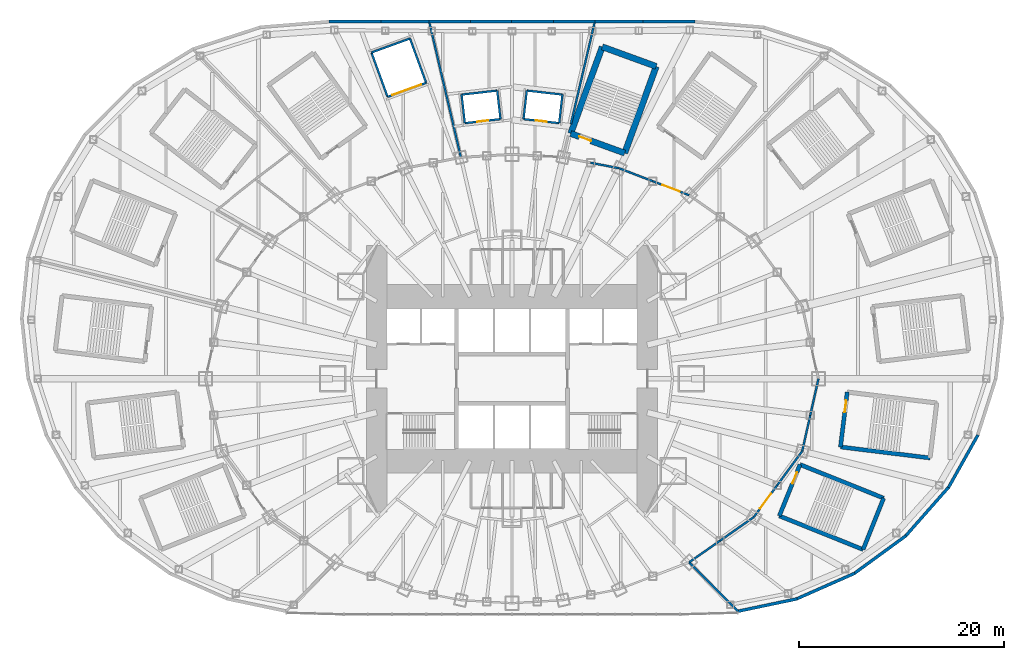
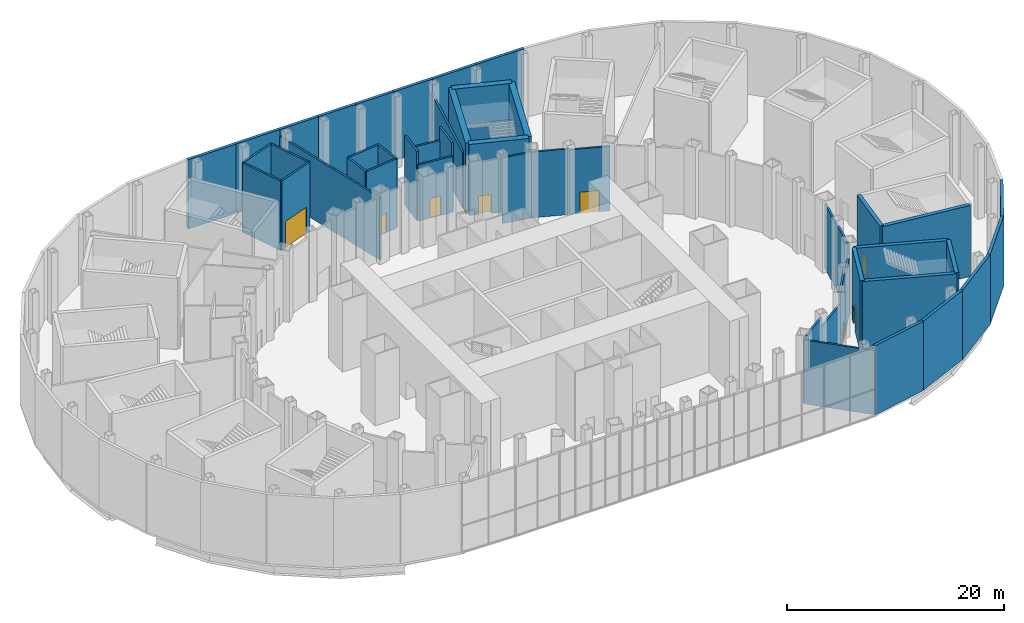
# One storey, part 16 of 74: 47 walls, 8 doors, 8 openings.
"""IFC4 building model written with IfcOpenShell, lengths in metres."""

import ifcopenshell
import ifcopenshell.guid

model = None  # the IFC model being written
_history = None  # IfcOwnerHistory: only IFC2X3 demands one
_inside = {}  # id of a spatial element -> (the spatial element, [elements in it])
_under = {}  # id of a project, library or spatial element -> (it, [spatial elements below it])
_declared = {}  # id of a project -> (the project, [libraries it declares])
_typed = {}  # id of a type object -> (the type object, [elements of that type])
_made_of = {}  # id of a material, layer set ... -> (it, [elements and type objects made of it])


def new_model(schema):
    """Start an empty IFC model of exactly this schema.

    Asked for "IFC4X3", IfcOpenShell would pick the latest addendum, in which some entities
    have other attributes; the version numbers below select the first issue.
    IFC2X3 requires an IfcOwnerHistory on every rooted entity: one is made here for all.
    """
    global model, _history
    if schema == "IFC4X3":
        model = ifcopenshell.file(schema_version=(4, 3, 0, 0))
    else:
        model = ifcopenshell.file(schema=schema)
    _inside.clear()
    _under.clear()
    _declared.clear()
    _typed.clear()
    _made_of.clear()
    _history = None
    if model.schema == "IFC2X3":
        org = make("IfcOrganization", Name="unknown")
        user = make(
            "IfcPersonAndOrganization",
            ThePerson=make("IfcPerson", FamilyName="unknown"),
            TheOrganization=org,
        )
        app = make(
            "IfcApplication",
            ApplicationDeveloper=org,
            Version="unknown",
            ApplicationFullName="unknown",
            ApplicationIdentifier="unknown",
        )
        _history = make(
            "IfcOwnerHistory",
            OwningUser=user,
            OwningApplication=app,
            ChangeAction="ADDED",
            CreationDate=0,
        )
    return model


def make(cls, **values):
    """One entity of the class cls with the attributes given. An attribute that is None is left unset."""
    return model.create_entity(
        cls, **{name: value for name, value in values.items() if value is not None}
    )


def rooted(cls, **values):
    """An entity with a GlobalId (a new one), such as an element, a storey or a relation."""
    return make(cls, GlobalId=ifcopenshell.guid.new(), OwnerHistory=_history, **values)


def si_unit(unit_type, name, prefix=None):
    """IfcSIUnit, for example si_unit("LENGTHUNIT", "METRE", prefix="MILLI")."""
    return make("IfcSIUnit", UnitType=unit_type, Prefix=prefix, Name=name)


def assignment(units):
    """IfcUnitAssignment: the units of a project."""
    return None if units is None else make("IfcUnitAssignment", Units=units)


def point(xyz):
    """IfcCartesianPoint."""
    return None if xyz is None else make("IfcCartesianPoint", Coordinates=xyz)


def direction(xyz):
    """IfcDirection."""
    return None if xyz is None else make("IfcDirection", DirectionRatios=xyz)


def frame(location, z_axis=None, x_axis=None):
    """IfcAxis2Placement3D, a coordinate frame: its origin and axes. An axis left out is left unset."""
    return make(
        "IfcAxis2Placement3D",
        Location=point(location),
        Axis=direction(z_axis),
        RefDirection=direction(x_axis),
    )


def frame_2d(location, x_axis=None):
    """IfcAxis2Placement2D, a coordinate frame in the plane: its origin and x axis."""
    return make(
        "IfcAxis2Placement2D", Location=point(location), RefDirection=direction(x_axis)
    )


def origin():
    """The frame at (0, 0, 0) with its axes left unset."""
    return frame((0.0, 0.0, 0.0))


def place(relative_to, where):
    """IfcLocalPlacement: puts the frame where relative to a parent placement (None: the world)."""
    return make(
        "IfcLocalPlacement", PlacementRelTo=relative_to, RelativePlacement=where
    )


def context(
    kind, dimensions, precision=None, world=None, true_north=None, identifier=None
):
    """IfcGeometricRepresentationContext, for example the 3D "Model" context."""
    return make(
        "IfcGeometricRepresentationContext",
        ContextIdentifier=identifier,
        ContextType=kind,
        CoordinateSpaceDimension=dimensions,
        Precision=precision,
        WorldCoordinateSystem=world,
        TrueNorth=true_north,
    )


def subcontext(parent, identifier, kind, view, scale=None):
    """IfcGeometricRepresentationSubContext, for example "Body" below "Model"."""
    return make(
        "IfcGeometricRepresentationSubContext",
        ContextIdentifier=identifier,
        ContextType=kind,
        ParentContext=parent,
        TargetScale=scale,
        TargetView=view,
    )


def project(units=None, contexts=None):
    """IfcProject with its units and contexts."""
    return rooted(
        "IfcProject",
        Name="project",
        RepresentationContexts=contexts,
        UnitsInContext=assignment(units),
    )


def spatial(cls, under=None, at=None, **own):
    """A site, building, storey or space (cls), placed at a placement, below another one or the project."""
    s = rooted(cls, ObjectPlacement=at, **own)
    if under is not None:
        _under.setdefault(under.id(), (under, []))[1].append(s)
    return s


def profile(cls, at=None, kind="AREA", **sizes):
    """A parametric profile (cls). Its sizes go by their IFC names, for example OverallWidth=200.0."""
    return make(cls, ProfileType=kind, Position=at, **sizes)


def rectangle(**sizes):
    """IfcRectangleProfileDef."""
    return profile("IfcRectangleProfileDef", **sizes)


def extrude(swept, where, along, depth):
    """IfcExtrudedAreaSolid: the profile swept, set in the frame where, extruded along a direction by depth."""
    return make(
        "IfcExtrudedAreaSolid",
        SweptArea=swept,
        Position=where,
        ExtrudedDirection=direction(along),
        Depth=depth,
    )


def shape(context_of_items, identifier, shape_type, items):
    """IfcShapeRepresentation: the items that make up one representation, for example the "Body"."""
    return make(
        "IfcShapeRepresentation",
        ContextOfItems=context_of_items,
        RepresentationIdentifier=identifier,
        RepresentationType=shape_type,
        Items=items,
    )


def material(Name=None, Category=None):
    """IfcMaterial."""
    return make("IfcMaterial", Name=Name, Category=Category)


def layer(
    of_material, thickness, ventilated=None, Name=None, Category=None, Priority=None
):
    """IfcMaterialLayer: one layer of a wall or slab, of a material (None: an air gap)."""
    return make(
        "IfcMaterialLayer",
        Material=of_material,
        LayerThickness=thickness,
        IsVentilated=ventilated,
        Name=Name,
        Category=Category,
        Priority=Priority,
    )


def layer_set(layers, Name=None):
    """IfcMaterialLayerSet."""
    return make("IfcMaterialLayerSet", MaterialLayers=layers, LayerSetName=Name)


def made_of(thing, what):
    """Note that an element or type object is made of a material, layer set ...; save() writes the relation."""
    if what is not None:
        _made_of.setdefault(what.id(), (what, []))[1].append(thing)
    return thing


def type_object(cls, material=None, **own):
    """A type object (cls), such as IfcWallType, which elements share."""
    return made_of(rooted(cls, **own), material)


def element(
    cls,
    number,
    at=None,
    inside=None,
    cuts=None,
    type_object=None,
    material=None,
    context=None,
    identifier="Body",
    shape_type=None,
    held_by="IfcProductDefinitionShape",
    body=None,
    shapes=None,
    **own,
):
    """One element of the class cls, such as IfcWall. Its Tag is "e" and its number.

    at: its placement. inside: the storey or other place that contains it. cuts: it is an
    opening in that element (IfcRelVoidsElement). A single representation is given by context,
    identifier, shape_type and body (its items); several are given by shapes. held_by: the class
    of the entity that holds the representations. save() writes the other relations.
    """
    e = rooted(cls, Tag="e%d" % number, ObjectPlacement=at, **own)
    if body is not None:
        shapes = [shape(context, identifier, shape_type, body)]
    if shapes is not None:
        e.Representation = make(held_by, Representations=shapes)
    if inside is not None:
        _inside.setdefault(inside.id(), (inside, []))[1].append(e)
    if cuts is not None:
        rooted(
            "IfcRelVoidsElement", RelatingBuildingElement=cuts, RelatedOpeningElement=e
        )
    if type_object is not None:
        _typed.setdefault(type_object.id(), (type_object, []))[1].append(e)
    return made_of(e, material)


def fill(opening, filler):
    """IfcRelFillsElement: the door or window that sits in an opening."""
    return rooted(
        "IfcRelFillsElement",
        RelatingOpeningElement=opening,
        RelatedBuildingElement=filler,
    )


def aggregate(whole, parts):
    """IfcRelAggregates: a whole, such as a stair, and the parts it consists of."""
    return rooted("IfcRelAggregates", RelatingObject=whole, RelatedObjects=parts)


def save(model, path):
    """Write the relations noted so far, then the file.

    IfcRelAggregates (storeys below a building ...), IfcRelContainedInSpatialStructure (elements
    in a storey), IfcRelDefinesByType, IfcRelAssociatesMaterial and IfcRelDeclares: one each for
    every whole, place, type object, material and project.
    """
    for whole, parts in _under.values():
        aggregate(whole, parts)
    for where, things in _inside.values():
        rooted(
            "IfcRelContainedInSpatialStructure",
            RelatedElements=things,
            RelatingStructure=where,
        )
    for kind, things in _typed.values():
        rooted("IfcRelDefinesByType", RelatedObjects=things, RelatingType=kind)
    for what, things in _made_of.values():
        rooted("IfcRelAssociatesMaterial", RelatedObjects=things, RelatingMaterial=what)
    for by, libraries in _declared.values():
        rooted("IfcRelDeclares", RelatingContext=by, RelatedDefinitions=libraries)
    model.write(path)


model = new_model("IFC4")

# Units and contexts
model_context = context("Model", 3, precision=1e-05, world=origin(), true_north=direction((0.0, 1.0)))
body_context = subcontext(model_context, "Body", "Model", "MODEL_VIEW")
ifc_project = project(units=[si_unit("LENGTHUNIT", "METRE"), si_unit("AREAUNIT", "SQUARE_METRE"), si_unit("VOLUMEUNIT", "CUBIC_METRE"), si_unit("PLANEANGLEUNIT", "RADIAN"), si_unit("MASSUNIT", "GRAM", prefix="KILO")], contexts=[model_context])

# Site, building, storey
site_placement = place(None, origin())
site = spatial("IfcSite", under=ifc_project, at=site_placement, CompositionType="ELEMENT")
building_placement = place(site_placement, origin())
building = spatial("IfcBuilding", under=site, at=building_placement, Name="Lantaw Convention Tower", CompositionType="ELEMENT")
storey_placement = place(building_placement, frame((0.0, 0.0, 6.5)))
storey = spatial("IfcBuildingStorey", under=building, at=storey_placement, Name="L01", CompositionType="ELEMENT", Elevation=6.5)

# Walls
ifc_material_1 = material(Name="Concrete blockwork, fire rated", Category="masonry")
ifc_layer_1 = layer(ifc_material_1, 0.199951171875)
ifc_layer_set_1 = layer_set([ifc_layer_1], Name="Lift shaft wall 200 EI 120")
wall_type_1 = type_object("IfcWallType", Name="Lift shaft wall 200 EI 120", PredefinedType="SOLIDWALL", material=ifc_layer_set_1)
wall_1_placement = place(storey_placement, frame((4.602783203125, 24.939208984375, 0.0), z_axis=(0.0, 0.0, 1.0), x_axis=(0.113177712989, 0.993574760792, 0.0)))
element("IfcWall", 1, at=wall_1_placement, inside=storey, type_object=wall_type_1, Name="Lift shaft wall", PredefinedType="SOLIDWALL", context=body_context, shape_type="SweptSolid", body=[
    extrude(rectangle(XDim=2.800048828125, YDim=0.199951171875, at=frame_2d((1.39990234375, 0.0))), origin(), (0.0, 0.0, 1.0), 7.800048828125),
])
wall_2_placement = place(storey_placement, frame((4.919677734375, 27.72119140625, 0.0), z_axis=(0.0, 0.0, 1.0), x_axis=(-0.993571061716, 0.113210182053, 0.0)))
element("IfcWall", 2, at=wall_2_placement, inside=storey, type_object=wall_type_1, Name="Lift shaft wall", PredefinedType="SOLIDWALL", context=body_context, shape_type="SweptSolid", body=[
    extrude(rectangle(XDim=3.5, YDim=0.199951171875, at=frame_2d((1.75, 0.0))), origin(), (0.0, 0.0, 1.0), 6.300048828125),
])
wall_3_placement = place(storey_placement, frame((1.442138671875, 28.117431640625, 0.0), z_axis=(0.0, 0.0, 1.0), x_axis=(-0.113177712989, -0.993574760792, 0.0)))
element("IfcWall", 3, at=wall_3_placement, inside=storey, type_object=wall_type_1, Name="Lift shaft wall", PredefinedType="SOLIDWALL", context=body_context, shape_type="SweptSolid", body=[
    extrude(rectangle(XDim=2.800048828125, YDim=0.199951171875, at=frame_2d((1.39990234375, 0.0))), origin(), (0.0, 0.0, 1.0), 7.800048828125),
])

# Wall, opening, door
wall_4_placement = place(storey_placement, frame((1.125244140625, 25.33544921875, 0.0), z_axis=(0.0, 0.0, 1.0), x_axis=(0.993571061716, -0.113210182053, 0.0)))
wall_4 = element("IfcWall", 4, at=wall_4_placement, inside=storey, type_object=wall_type_1, Name="Lift shaft wall", PredefinedType="SOLIDWALL", context=body_context, shape_type="SweptSolid", body=[
    extrude(rectangle(XDim=3.5, YDim=0.199951171875, at=frame_2d((1.75, 0.0))), origin(), (0.0, 0.0, 1.0), 6.300048828125),
])
opening_1_placement = place(wall_4_placement, frame((1.199951171875, 0.0, 0.0)))
opening_1 = element("IfcOpeningElement", 5, at=opening_1_placement, cuts=wall_4, Name="Opening LDPL1", PredefinedType="OPENING", context=body_context, shape_type="SweptSolid", body=[
    extrude(rectangle(XDim=1.10009765625, YDim=2.199951171875, at=frame_2d((0.550048828125, 1.10009765625))), frame((0.0, 0.10986328125, 0.0), z_axis=(0.0, -1.0, 0.0), x_axis=(1.0, 0.0, 0.0)), (0.0, 0.0, 1.0), 0.219970703125),
])
ifc_material_2 = material(Name="Stainless steel", Category="steel")
door_type_1 = type_object("IfcDoorType", Name="Lift landing door 1100", OperationType="DOUBLE_DOOR_SLIDING", PredefinedType="DOOR", material=ifc_material_2)
door_1_placement = place(opening_1_placement, origin())
door_1 = element("IfcDoor", 6, at=door_1_placement, inside=storey, type_object=door_type_1, Name="Lift landing door PL1", OperationType="DOUBLE_DOOR_SLIDING", OverallHeight=2.199951171875, OverallWidth=1.10009765625, PredefinedType="DOOR", context=body_context, shape_type="SweptSolid", body=[
    extrude(rectangle(XDim=1.10009765625, YDim=2.199951171875, at=frame_2d((0.550048828125, 1.10009765625))), frame((0.0, 0.02490234375, 0.0), z_axis=(0.0, -1.0, 0.0), x_axis=(1.0, 0.0, 0.0)), (0.0, 0.0, 1.0), 0.050048828125),
])
fill(opening_1, door_1)

# Walls
wall_5_placement = place(storey_placement, frame((-1.125244140625, 25.33544921875, 0.0), z_axis=(0.0, 0.0, 1.0), x_axis=(-0.113177712989, 0.993574760792, 0.0)))
element("IfcWall", 7, at=wall_5_placement, inside=storey, type_object=wall_type_1, Name="Lift shaft wall", PredefinedType="SOLIDWALL", context=body_context, shape_type="SweptSolid", body=[
    extrude(rectangle(XDim=2.800048828125, YDim=0.199951171875, at=frame_2d((1.39990234375, 0.0))), origin(), (0.0, 0.0, 1.0), 7.800048828125),
])
wall_6_placement = place(storey_placement, frame((-1.442138671875, 28.117431640625, 0.0), z_axis=(0.0, 0.0, 1.0), x_axis=(-0.993571061716, -0.113210182053, 0.0)))
element("IfcWall", 8, at=wall_6_placement, inside=storey, type_object=wall_type_1, Name="Lift shaft wall", PredefinedType="SOLIDWALL", context=body_context, shape_type="SweptSolid", body=[
    extrude(rectangle(XDim=3.5, YDim=0.199951171875, at=frame_2d((1.75, 0.0))), origin(), (0.0, 0.0, 1.0), 7.800048828125),
])
wall_7_placement = place(storey_placement, frame((-4.919677734375, 27.72119140625, 0.0), z_axis=(0.0, 0.0, 1.0), x_axis=(0.113177712989, -0.993574760792, 0.0)))
element("IfcWall", 9, at=wall_7_placement, inside=storey, type_object=wall_type_1, Name="Lift shaft wall", PredefinedType="SOLIDWALL", context=body_context, shape_type="SweptSolid", body=[
    extrude(rectangle(XDim=2.800048828125, YDim=0.199951171875, at=frame_2d((1.39990234375, 0.0))), origin(), (0.0, 0.0, 1.0), 7.800048828125),
])

# Wall, opening, door
wall_8_placement = place(storey_placement, frame((-4.602783203125, 24.939208984375, 0.0), z_axis=(0.0, 0.0, 1.0), x_axis=(0.993571061716, 0.113210182053, 0.0)))
wall_8 = element("IfcWall", 10, at=wall_8_placement, inside=storey, type_object=wall_type_1, Name="Lift shaft wall", PredefinedType="SOLIDWALL", context=body_context, shape_type="SweptSolid", body=[
    extrude(rectangle(XDim=3.5, YDim=0.199951171875, at=frame_2d((1.75, 0.0))), origin(), (0.0, 0.0, 1.0), 7.800048828125),
])
opening_2_placement = place(wall_8_placement, frame((1.199951171875, 0.0, 0.0)))
opening_2 = element("IfcOpeningElement", 11, at=opening_2_placement, cuts=wall_8, Name="Opening LDPL2", PredefinedType="OPENING", context=body_context, shape_type="SweptSolid", body=[
    extrude(rectangle(XDim=1.10009765625, YDim=2.199951171875, at=frame_2d((0.550048828125, 1.10009765625))), frame((0.0, 0.10986328125, 0.0), z_axis=(0.0, -1.0, 0.0), x_axis=(1.0, 0.0, 0.0)), (0.0, 0.0, 1.0), 0.219970703125),
])
door_2_placement = place(opening_2_placement, origin())
door_2 = element("IfcDoor", 12, at=door_2_placement, inside=storey, type_object=door_type_1, Name="Lift landing door PL2", OperationType="DOUBLE_DOOR_SLIDING", OverallHeight=2.199951171875, OverallWidth=1.10009765625, PredefinedType="DOOR", context=body_context, shape_type="SweptSolid", body=[
    extrude(rectangle(XDim=1.10009765625, YDim=2.199951171875, at=frame_2d((0.550048828125, 1.10009765625))), frame((0.0, 0.02490234375, 0.0), z_axis=(0.0, -1.0, 0.0), x_axis=(1.0, 0.0, 0.0)), (0.0, 0.0, 1.0), 0.050048828125),
])
fill(opening_2, door_2)

# Walls
wall_9_placement = place(storey_placement, frame((-8.381103515625, 28.874755859375, 0.0), z_axis=(0.0, 0.0, 1.0), x_axis=(-0.342045591466, 0.93968335803, 0.0)))
element("IfcWall", 13, at=wall_9_placement, inside=storey, type_object=wall_type_1, Name="Lift shaft wall", PredefinedType="SOLIDWALL", context=body_context, shape_type="SweptSolid", body=[
    extrude(rectangle(XDim=4.600341796875, YDim=0.199951171875, at=frame_2d((2.30029296875, 0.0))), origin(), (0.0, 0.0, 1.0), 7.800048828125),
])
wall_10_placement = place(storey_placement, frame((-9.95458984375, 33.197509765625, 0.0), z_axis=(0.0, 0.0, 1.0), x_axis=(-0.939686455819, -0.342037080957, 0.0)))
element("IfcWall", 14, at=wall_10_placement, inside=storey, type_object=wall_type_1, Name="Lift shaft wall", PredefinedType="SOLIDWALL", context=body_context, shape_type="SweptSolid", body=[
    extrude(rectangle(XDim=4.0, YDim=0.199951171875, at=frame_2d((2.0, 0.0))), origin(), (0.0, 0.0, 1.0), 7.800048828125),
])
wall_11_placement = place(storey_placement, frame((-13.71337890625, 31.829345703125, 0.0), z_axis=(0.0, 0.0, 1.0), x_axis=(0.342062650202, -0.939677148459, 0.0)))
element("IfcWall", 15, at=wall_11_placement, inside=storey, type_object=wall_type_1, Name="Lift shaft wall", PredefinedType="SOLIDWALL", context=body_context, shape_type="SweptSolid", body=[
    extrude(rectangle(XDim=4.60009765625, YDim=0.199951171875, at=frame_2d((2.300048828125, 0.0))), origin(), (0.0, 0.0, 1.0), 7.800048828125),
])

# Wall, opening, door
wall_12_placement = place(storey_placement, frame((-12.139892578125, 27.5068359375, 0.0), z_axis=(0.0, 0.0, 1.0), x_axis=(0.939706071622, 0.341983185197, 0.0)))
wall_12 = element("IfcWall", 16, at=wall_12_placement, inside=storey, type_object=wall_type_1, Name="Lift shaft wall", PredefinedType="SOLIDWALL", context=body_context, shape_type="SweptSolid", body=[
    extrude(rectangle(XDim=4.0, YDim=0.199951171875, at=frame_2d((2.0, 0.0))), origin(), (0.0, 0.0, 1.0), 7.800048828125),
])
opening_3_placement = place(wall_12_placement, frame((0.5, 0.0, 0.0)))
opening_3 = element("IfcOpeningElement", 17, at=opening_3_placement, cuts=wall_12, Name="Opening LDGL1", PredefinedType="OPENING", context=body_context, shape_type="SweptSolid", body=[
    extrude(rectangle(XDim=3.0, YDim=3.0, at=frame_2d((1.5, 1.5))), frame((0.0, 0.10986328125, 0.0), z_axis=(0.0, -1.0, 0.0), x_axis=(1.0, 0.0, 0.0)), (0.0, 0.0, 1.0), 0.219970703125),
])
door_type_2 = type_object("IfcDoorType", Name="Lift landing door 3000", OperationType="DOUBLE_DOOR_SLIDING", PredefinedType="DOOR", material=ifc_material_2)
door_3_placement = place(opening_3_placement, origin())
door_3 = element("IfcDoor", 18, at=door_3_placement, inside=storey, type_object=door_type_2, Name="Lift landing door GL1", OperationType="DOUBLE_DOOR_SLIDING", OverallHeight=3.0, OverallWidth=3.0, PredefinedType="DOOR", context=body_context, shape_type="SweptSolid", body=[
    extrude(rectangle(XDim=3.0, YDim=3.0, at=frame_2d((1.5, 1.5))), frame((0.0, 0.02490234375, 0.0), z_axis=(0.0, -1.0, 0.0), x_axis=(1.0, 0.0, 0.0)), (0.0, 0.0, 1.0), 0.050048828125),
])
fill(opening_3, door_3)

# Walls
ifc_material_3 = material(Name="Precast concrete panel, pale aluminium rainscreen", Category="concrete")
ifc_layer_2 = layer(ifc_material_3, 0.300048828125)
ifc_layer_set_2 = layer_set([ifc_layer_2], Name="Podium external wall 300")
wall_type_2 = type_object("IfcWallType", Name="Podium external wall 300", PredefinedType="SOLIDWALL", material=ifc_layer_set_2)
wall_13_placement = place(storey_placement, frame((17.873291015625, 34.85009765625, 0.0), z_axis=(0.0, 0.0, 1.0), x_axis=(-1.0, 0.0, 0.0)))
element("IfcWall", 19, at=wall_13_placement, inside=storey, type_object=wall_type_2, Name="Podium facade wall", PredefinedType="SOLIDWALL", context=body_context, shape_type="SweptSolid", body=[
    extrude(rectangle(XDim=5.17431640625, YDim=0.300048828125, at=frame_2d((2.587158203125, 0.0))), origin(), (0.0, 0.0, 1.0), 7.800048828125),
])
wall_14_placement = place(storey_placement, frame((12.779052734375, 34.85009765625, 0.0), z_axis=(0.0, 0.0, 1.0), x_axis=(-1.0, 0.0, 0.0)))
element("IfcWall", 20, at=wall_14_placement, inside=storey, type_object=wall_type_2, Name="Podium facade wall", PredefinedType="SOLIDWALL", context=body_context, shape_type="SweptSolid", body=[
    extrude(rectangle(XDim=4.73876953125, YDim=0.300048828125, at=frame_2d((2.369384765625, 0.0))), origin(), (0.0, 0.0, 1.0), 7.800048828125),
])
wall_15_placement = place(storey_placement, frame((8.120361328125, 34.85009765625, 0.0), z_axis=(0.0, 0.0, 1.0), x_axis=(-1.0, 0.0, 0.0)))
element("IfcWall", 21, at=wall_15_placement, inside=storey, type_object=wall_type_2, Name="Podium facade wall", PredefinedType="SOLIDWALL", context=body_context, shape_type="SweptSolid", body=[
    extrude(rectangle(XDim=4.172607421875, YDim=0.300048828125, at=frame_2d((2.08642578125, 0.0))), origin(), (0.0, 0.0, 1.0), 7.800048828125),
])
for number, where, z_axis, x_axis, name in (
    (22, (4.02783203125, 34.85009765625, 0.0), (0.0, 0.0, 1.0), (-1.0, 0.0, 0.0), "Podium facade wall"),
    (23, (0.0400390625, 34.85009765625, 0.0), (0.0, 0.0, 1.0), (-1.0, 0.0, 0.0), "Podium facade wall"),
):
    element("IfcWall", number, at=place(storey_placement, frame(where, z_axis=z_axis, x_axis=x_axis)), inside=storey, type_object=wall_type_2, Name=name, PredefinedType="SOLIDWALL", context=body_context, shape_type="SweptSolid", body=[
        extrude(rectangle(XDim=4.06787109375, YDim=0.300048828125, at=frame_2d((2.033935546875, 0.0))), origin(), (0.0, 0.0, 1.0), 7.800048828125),
    ])
wall_16_placement = place(storey_placement, frame((-3.94775390625, 34.85009765625, 0.0), z_axis=(0.0, 0.0, 1.0), x_axis=(-1.0, 0.0, 0.0)))
element("IfcWall", 24, at=wall_16_placement, inside=storey, type_object=wall_type_2, Name="Podium facade wall", PredefinedType="SOLIDWALL", context=body_context, shape_type="SweptSolid", body=[
    extrude(rectangle(XDim=4.172607421875, YDim=0.300048828125, at=frame_2d((2.08642578125, 0.0))), origin(), (0.0, 0.0, 1.0), 7.800048828125),
])
wall_17_placement = place(storey_placement, frame((-8.040283203125, 34.85009765625, 0.0), z_axis=(0.0, 0.0, 1.0), x_axis=(-1.0, 0.0, 0.0)))
element("IfcWall", 25, at=wall_17_placement, inside=storey, type_object=wall_type_2, Name="Podium facade wall", PredefinedType="SOLIDWALL", context=body_context, shape_type="SweptSolid", body=[
    extrude(rectangle(XDim=4.73876953125, YDim=0.300048828125, at=frame_2d((2.369384765625, 0.0))), origin(), (0.0, 0.0, 1.0), 7.800048828125),
])
wall_18_placement = place(storey_placement, frame((-12.698974609375, 34.85009765625, 0.0), z_axis=(0.0, 0.0, 1.0), x_axis=(-1.0, 0.0, 0.0)))
element("IfcWall", 26, at=wall_18_placement, inside=storey, type_object=wall_type_2, Name="Podium facade wall", PredefinedType="SOLIDWALL", context=body_context, shape_type="SweptSolid", body=[
    extrude(rectangle(XDim=5.17431640625, YDim=0.300048828125, at=frame_2d((2.587158203125, 0.0))), origin(), (0.0, 0.0, 1.0), 7.800048828125),
])
wall_19_placement = place(storey_placement, frame((21.985107421875, -22.699951171875, 0.0), z_axis=(0.0, 0.0, 1.0), x_axis=(0.978625319268, 0.205651366364, 0.0)))
element("IfcWall", 27, at=wall_19_placement, inside=storey, type_object=wall_type_2, Name="Podium facade wall", PredefinedType="SOLIDWALL", context=body_context, shape_type="SweptSolid", body=[
    extrude(rectangle(XDim=5.9619140625, YDim=0.300048828125, at=frame_2d((2.98095703125, 0.0))), origin(), (0.0, 0.0, 1.0), 7.800048828125),
])
wall_20_placement = place(storey_placement, frame((27.714111328125, -21.5078125, 0.0), z_axis=(0.0, 0.0, 1.0), x_axis=(0.914855209389, 0.403782052416, 0.0)))
element("IfcWall", 28, at=wall_20_placement, inside=storey, type_object=wall_type_2, Name="Podium facade wall", PredefinedType="SOLIDWALL", context=body_context, shape_type="SweptSolid", body=[
    extrude(rectangle(XDim=6.271240234375, YDim=0.300048828125, at=frame_2d((3.1357421875, 0.0))), origin(), (0.0, 0.0, 1.0), 7.800048828125),
])
wall_21_placement = place(storey_placement, frame((33.354736328125, -19.03125, 0.0), z_axis=(0.0, 0.0, 1.0), x_axis=(0.807898511933, 0.589321639189, 0.0)))
element("IfcWall", 29, at=wall_21_placement, inside=storey, type_object=wall_type_2, Name="Podium facade wall", PredefinedType="SOLIDWALL", context=body_context, shape_type="SweptSolid", body=[
    extrude(rectangle(XDim=6.30859375, YDim=0.300048828125, at=frame_2d((3.154296875, 0.0))), origin(), (0.0, 0.0, 1.0), 7.800048828125),
])
wall_22_placement = place(storey_placement, frame((38.368408203125, -15.38916015625, 0.0), z_axis=(0.0, 0.0, 1.0), x_axis=(0.661196672464, 0.75021261008, 0.0)))
element("IfcWall", 30, at=wall_22_placement, inside=storey, type_object=wall_type_2, Name="Podium facade wall", PredefinedType="SOLIDWALL", context=body_context, shape_type="SweptSolid", body=[
    extrude(rectangle(XDim=6.48095703125, YDim=0.300048828125, at=frame_2d((3.240478515625, 0.0))), origin(), (0.0, 0.0, 1.0), 7.800048828125),
])
wall_23_placement = place(storey_placement, frame((42.58935546875, -10.61767578125, 0.0), z_axis=(0.0, 0.0, 1.0), x_axis=(0.489563544979, 0.871967622924, 0.0)))
element("IfcWall", 31, at=wall_23_placement, inside=storey, type_object=wall_type_2, Name="Podium facade wall", PredefinedType="SOLIDWALL", context=body_context, shape_type="SweptSolid", body=[
    extrude(rectangle(XDim=5.882568359375, YDim=0.300048828125, at=frame_2d((2.94140625, 0.0))), origin(), (0.0, 0.0, 1.0), 7.800048828125),
])

# Wall, opening, door
ifc_material_4 = material(Name="Concrete blockwork", Category="masonry")
ifc_layer_3 = layer(ifc_material_4, 0.199951171875)
ifc_layer_set_3 = layer_set([ifc_layer_3], Name="Podium partition 200")
wall_type_3 = type_object("IfcWallType", Name="Podium partition 200", PredefinedType="SOLIDWALL", material=ifc_layer_set_3)
wall_24_placement = place(storey_placement, frame((17.290771484375, 17.9052734375, 0.0), z_axis=(0.0, 0.0, 1.0), x_axis=(-0.933224646415, 0.359293416754, 0.0)))
wall_24 = element("IfcWall", 32, at=wall_24_placement, inside=storey, type_object=wall_type_3, Name="Podium partition 200", PredefinedType="SOLIDWALL", context=body_context, shape_type="SweptSolid", body=[
    extrude(rectangle(XDim=3.799072265625, YDim=0.199951171875, at=frame_2d((1.8994140625, 0.0))), origin(), (0.0, 0.0, 1.0), 7.274169921875),
])
opening_4_placement = place(wall_24_placement, frame((0.99951171875, 0.0, 0.0)))
opening_4 = element("IfcOpeningElement", 33, at=opening_4_placement, cuts=wall_24, Name="Opening L01.13", PredefinedType="OPENING", context=body_context, shape_type="SweptSolid", body=[
    extrude(rectangle(XDim=1.800048828125, YDim=2.39990234375, at=frame_2d((0.89990234375, 1.199951171875))), frame((0.0, 0.10986328125, 0.0), z_axis=(0.0, -1.0, 0.0), x_axis=(1.0, 0.0, 0.0)), (0.0, 0.0, 1.0), 0.219970703125),
])
ifc_material_5 = material(Name="Timber", Category="wood")
door_type_3 = type_object("IfcDoorType", Name="Hall double door 1800", OperationType="DOUBLE_DOOR_DOUBLE_SWING", PredefinedType="DOOR", material=ifc_material_5)
door_4_placement = place(opening_4_placement, origin())
door_4 = element("IfcDoor", 34, at=door_4_placement, inside=storey, type_object=door_type_3, Name="Exhibition store door", OperationType="DOUBLE_DOOR_DOUBLE_SWING", OverallHeight=2.39990234375, OverallWidth=1.800048828125, PredefinedType="DOOR", context=body_context, shape_type="SweptSolid", body=[
    extrude(rectangle(XDim=1.800048828125, YDim=2.39990234375, at=frame_2d((0.89990234375, 1.199951171875))), frame((0.0, 0.02490234375, 0.0), z_axis=(0.0, -1.0, 0.0), x_axis=(1.0, 0.0, 0.0)), (0.0, 0.0, 1.0), 0.050048828125),
])
fill(opening_4, door_4)

# Walls
wall_25_placement = place(storey_placement, frame((13.745361328125, 19.270263671875, 0.0), z_axis=(0.0, 0.0, 1.0), x_axis=(-0.933241815012, 0.359248820058, 0.0)))
element("IfcWall", 35, at=wall_25_placement, inside=storey, type_object=wall_type_3, Name="Podium partition 200", PredefinedType="SOLIDWALL", context=body_context, shape_type="SweptSolid", body=[
    extrude(rectangle(XDim=3.517578125, YDim=0.199951171875, at=frame_2d((1.7587890625, 0.0))), origin(), (0.0, 0.0, 1.0), 7.396240234375),
])
wall_26_placement = place(storey_placement, frame((10.462646484375, 20.533935546875, 0.0), z_axis=(0.0, 0.0, 1.0), x_axis=(-0.98163593748, 0.190763954266, 0.0)))
element("IfcWall", 36, at=wall_26_placement, inside=storey, type_object=wall_type_3, Name="Podium partition 200", PredefinedType="SOLIDWALL", context=body_context, shape_type="SweptSolid", body=[
    extrude(rectangle(XDim=2.84375, YDim=0.199951171875, at=frame_2d((1.421875, 0.0))), origin(), (0.0, 0.0, 1.0), 7.396240234375),
])
wall_27_placement = place(storey_placement, frame((17.290771484375, -17.9052734375, 0.0), z_axis=(0.0, 0.0, 1.0), x_axis=(0.819431174801, 0.573177590075, 0.0)))
element("IfcWall", 37, at=wall_27_placement, inside=storey, type_object=wall_type_3, Name="Podium partition 200", PredefinedType="SOLIDWALL", context=body_context, shape_type="SweptSolid", body=[
    extrude(rectangle(XDim=3.68310546875, YDim=0.199951171875, at=frame_2d((1.841552734375, 0.0))), origin(), (0.0, 0.0, 1.0), 7.396240234375),
])
wall_28_placement = place(storey_placement, frame((20.308837890625, -15.794189453125, 0.0), z_axis=(0.0, 0.0, 1.0), x_axis=(0.81942291701, 0.57318939547, 0.0)))
element("IfcWall", 38, at=wall_28_placement, inside=storey, type_object=wall_type_3, Name="Podium partition 200", PredefinedType="SOLIDWALL", context=body_context, shape_type="SweptSolid", body=[
    extrude(rectangle(XDim=4.0224609375, YDim=0.199951171875, at=frame_2d((2.01123046875, 0.0))), origin(), (0.0, 0.0, 1.0), 6.300048828125),
])

# Wall, opening, door
wall_29_placement = place(storey_placement, frame((23.60498046875, -13.488525390625, 0.0), z_axis=(0.0, 0.0, 1.0), x_axis=(0.591286566758, 0.806461527893, 0.0)))
wall_29 = element("IfcWall", 39, at=wall_29_placement, inside=storey, type_object=wall_type_3, Name="Podium partition 200", PredefinedType="SOLIDWALL", context=body_context, shape_type="SweptSolid", body=[
    extrude(rectangle(XDim=3.843994140625, YDim=0.199951171875, at=frame_2d((1.921875, 0.0))), origin(), (0.0, 0.0, 1.0), 7.396240234375),
])
opening_5_placement = place(wall_29_placement, frame((1.022216796875, 0.0, 0.0)))
opening_5 = element("IfcOpeningElement", 40, at=opening_5_placement, cuts=wall_29, Name="Opening L01.12", PredefinedType="OPENING", context=body_context, shape_type="SweptSolid", body=[
    extrude(rectangle(XDim=1.800048828125, YDim=2.39990234375, at=frame_2d((0.89990234375, 1.199951171875))), frame((0.0, 0.10986328125, 0.0), z_axis=(0.0, -1.0, 0.0), x_axis=(1.0, 0.0, 0.0)), (0.0, 0.0, 1.0), 0.219970703125),
])
door_5_placement = place(opening_5_placement, origin())
door_5 = element("IfcDoor", 41, at=door_5_placement, inside=storey, type_object=door_type_3, Name="Exhibition hall A door", OperationType="DOUBLE_DOOR_DOUBLE_SWING", OverallHeight=2.39990234375, OverallWidth=1.800048828125, PredefinedType="DOOR", context=body_context, shape_type="SweptSolid", body=[
    extrude(rectangle(XDim=1.800048828125, YDim=2.39990234375, at=frame_2d((0.89990234375, 1.199951171875))), frame((0.0, 0.02490234375, 0.0), z_axis=(0.0, -1.0, 0.0), x_axis=(1.0, 0.0, 0.0)), (0.0, 0.0, 1.0), 0.050048828125),
])
fill(opening_5, door_5)

# Walls
wall_30_placement = place(storey_placement, frame((25.8779296875, -10.388427734375, 0.0), z_axis=(0.0, 0.0, 1.0), x_axis=(0.591255937291, 0.806483984105, 0.0)))
element("IfcWall", 42, at=wall_30_placement, inside=storey, type_object=wall_type_3, Name="Podium partition 200", PredefinedType="SOLIDWALL", context=body_context, shape_type="SweptSolid", body=[
    extrude(rectangle(XDim=4.126708984375, YDim=0.199951171875, at=frame_2d((2.0634765625, 0.0))), origin(), (0.0, 0.0, 1.0), 6.300048828125),
])
wall_31_placement = place(storey_placement, frame((28.31787109375, -7.060302734375, 0.0), z_axis=(0.0, 0.0, 1.0), x_axis=(0.218673326171, 0.97579812278, 0.0)))
element("IfcWall", 43, at=wall_31_placement, inside=storey, type_object=wall_type_3, Name="Podium partition 200", PredefinedType="SOLIDWALL", context=body_context, shape_type="SweptSolid", body=[
    extrude(rectangle(XDim=3.57373046875, YDim=0.199951171875, at=frame_2d((1.786865234375, 0.0))), origin(), (0.0, 0.0, 1.0), 7.396240234375),
])
wall_32_placement = place(storey_placement, frame((29.099365234375, -3.572998046875, 0.0), z_axis=(0.0, 0.0, 1.0), x_axis=(0.218631550323, 0.975807483679, 0.0)))
element("IfcWall", 44, at=wall_32_placement, inside=storey, type_object=wall_type_3, Name="Podium partition 200", PredefinedType="SOLIDWALL", context=body_context, shape_type="SweptSolid", body=[
    extrude(rectangle(XDim=3.66162109375, YDim=0.199951171875, at=frame_2d((1.830810546875, 0.0))), origin(), (0.0, 0.0, 1.0), 7.271728515625),
])
wall_33_placement = place(storey_placement, frame((5.745361328125, 24.848876953125, 0.0), z_axis=(0.0, 0.0, 1.0), x_axis=(0.227353607936, 0.973812269875, 0.0)))
element("IfcWall", 45, at=wall_33_placement, inside=storey, type_object=wall_type_3, Name="Podium partition 200", PredefinedType="SOLIDWALL", context=body_context, shape_type="SweptSolid", body=[
    extrude(rectangle(XDim=10.270263671875, YDim=0.199951171875, at=frame_2d((5.13525390625, 0.0))), origin(), (0.0, 0.0, 1.0), 6.300048828125),
])
wall_34_placement = place(storey_placement, frame((-4.986328125, 21.59814453125, 0.0), z_axis=(0.0, 0.0, 1.0), x_axis=(-0.227360055616, 0.973810764528, 0.0)))
element("IfcWall", 46, at=wall_34_placement, inside=storey, type_object=wall_type_3, Name="Podium partition 200", PredefinedType="SOLIDWALL", context=body_context, shape_type="SweptSolid", body=[
    extrude(rectangle(XDim=13.6083984375, YDim=0.199951171875, at=frame_2d((6.80419921875, 0.0))), origin(), (0.0, 0.0, 1.0), 7.02783203125),
])
wall_35_placement = place(storey_placement, frame((17.290771484375, -17.9052734375, 0.0), z_axis=(0.0, 0.0, 1.0), x_axis=(0.704348079756, -0.709854761585, 0.0)))
element("IfcWall", 47, at=wall_35_placement, inside=storey, type_object=wall_type_3, Name="Podium partition 200", PredefinedType="SOLIDWALL", context=body_context, shape_type="SweptSolid", body=[
    extrude(rectangle(XDim=6.739013671875, YDim=0.199951171875, at=frame_2d((3.36962890625, 0.0))), origin(), (0.0, 0.0, 1.0), 7.197998046875),
])
ifc_material_6 = material(Name="Concrete C40/50, stair core", Category="concrete")
ifc_layer_4 = layer(ifc_material_6, 0.39990234375)
ifc_layer_set_4 = layer_set([ifc_layer_4], Name="Stair enclosure wall 400 EI 120")
wall_type_4 = type_object("IfcWallType", Name="Stair enclosure wall 400 EI 120", PredefinedType="SHEAR", material=ifc_layer_set_4)
wall_36_placement = place(storey_placement, frame((26.0869140625, -13.3818359375, 0.0), z_axis=(0.0, 0.0, 1.0), x_axis=(0.92801678004, -0.372538395288, 0.0)))
element("IfcWall", 48, at=wall_36_placement, inside=storey, type_object=wall_type_4, Name="Stair enclosure wall", PredefinedType="SHEAR", context=body_context, shape_type="SweptSolid", body=[
    extrude(rectangle(XDim=8.800048828125, YDim=0.39990234375, at=frame_2d((4.39990234375, 0.0))), origin(), (0.0, 0.0, 1.0), 8.0),
])
wall_37_placement = place(storey_placement, frame((34.25341796875, -16.66015625, 0.0), z_axis=(0.0, 0.0, 1.0), x_axis=(0.372544066459, 0.928014503414, 0.0)))
element("IfcWall", 49, at=wall_37_placement, inside=storey, type_object=wall_type_4, Name="Stair enclosure wall", PredefinedType="SHEAR", context=body_context, shape_type="SweptSolid", body=[
    extrude(rectangle(XDim=5.39990234375, YDim=0.39990234375, at=frame_2d((2.699951171875, 0.0))), origin(), (0.0, 0.0, 1.0), 8.0),
])
wall_38_placement = place(storey_placement, frame((36.26513671875, -11.64892578125, 0.0), z_axis=(0.0, 0.0, 1.0), x_axis=(-0.928007188331, 0.372562287955, 0.0)))
element("IfcWall", 50, at=wall_38_placement, inside=storey, type_object=wall_type_4, Name="Stair enclosure wall", PredefinedType="SHEAR", context=body_context, shape_type="SweptSolid", body=[
    extrude(rectangle(XDim=8.800048828125, YDim=0.39990234375, at=frame_2d((4.39990234375, 0.0))), origin(), (0.0, 0.0, 1.0), 8.0),
])

# Wall, opening, door
wall_39_placement = place(storey_placement, frame((28.0986328125, -8.370361328125, 0.0), z_axis=(0.0, 0.0, 1.0), x_axis=(-0.372528436202, -0.928020777904, 0.0)))
wall_39 = element("IfcWall", 51, at=wall_39_placement, inside=storey, type_object=wall_type_4, Name="Stair enclosure wall", PredefinedType="SHEAR", context=body_context, shape_type="SweptSolid", body=[
    extrude(rectangle(XDim=5.400146484375, YDim=0.39990234375, at=frame_2d((2.7001953125, 0.0))), origin(), (0.0, 0.0, 1.0), 8.0),
])
opening_6_placement = place(wall_39_placement, frame((0.800048828125, 0.0, 0.0)))
opening_6 = element("IfcOpeningElement", 52, at=opening_6_placement, cuts=wall_39, Name="Opening L01.P12", PredefinedType="OPENING", context=body_context, shape_type="SweptSolid", body=[
    extrude(rectangle(XDim=1.199951171875, YDim=2.10009765625, at=frame_2d((0.60009765625, 1.050048828125))), frame((0.0, 0.2099609375, 0.0), z_axis=(0.0, -1.0, 0.0), x_axis=(1.0, 0.0, 0.0)), (0.0, 0.0, 1.0), 0.419921875),
])
ifc_material_7 = material(Name="Steel, fire rated", Category="steel")
door_type_4 = type_object("IfcDoorType", Name="Stair door FD90", OperationType="SINGLE_SWING_RIGHT", PredefinedType="DOOR", material=ifc_material_7)
door_6_placement = place(opening_6_placement, origin())
door_6 = element("IfcDoor", 53, at=door_6_placement, inside=storey, type_object=door_type_4, Name="Exit stair door", OperationType="SINGLE_SWING_RIGHT", OverallHeight=2.10009765625, OverallWidth=1.199951171875, PredefinedType="DOOR", context=body_context, shape_type="SweptSolid", body=[
    extrude(rectangle(XDim=1.199951171875, YDim=2.10009765625, at=frame_2d((0.60009765625, 1.050048828125))), frame((0.0, 0.02490234375, 0.0), z_axis=(0.0, -1.0, 0.0), x_axis=(1.0, 0.0, 0.0)), (0.0, 0.0, 1.0), 0.050048828125),
])
fill(opening_6, door_6)

# Wall
wall_40_placement = place(storey_placement, frame((32.050537109375, -6.655517578125, 0.0), z_axis=(0.0, 0.0, 1.0), x_axis=(0.992545280606, -0.121876437212, 0.0)))
element("IfcWall", 54, at=wall_40_placement, inside=storey, type_object=wall_type_4, Name="Stair enclosure wall", PredefinedType="SHEAR", context=body_context, shape_type="SweptSolid", body=[
    extrude(rectangle(XDim=8.800048828125, YDim=0.39990234375, at=frame_2d((4.39990234375, 0.0))), origin(), (0.0, 0.0, 1.0), 8.0),
])

# Wall, opening, door
wall_41_placement = place(storey_placement, frame((32.70849609375, -1.2958984375, 0.0), z_axis=(0.0, 0.0, 1.0), x_axis=(-0.12184754212, -0.99254882826, 0.0)))
wall_41 = element("IfcWall", 55, at=wall_41_placement, inside=storey, type_object=wall_type_4, Name="Stair enclosure wall", PredefinedType="SHEAR", context=body_context, shape_type="SweptSolid", body=[
    extrude(rectangle(XDim=5.39990234375, YDim=0.39990234375, at=frame_2d((2.699951171875, 0.0))), origin(), (0.0, 0.0, 1.0), 8.0),
])
opening_7_placement = place(wall_41_placement, frame((0.800048828125, 0.0, 0.0)))
opening_7 = element("IfcOpeningElement", 56, at=opening_7_placement, cuts=wall_41, Name="Opening L01.P13", PredefinedType="OPENING", context=body_context, shape_type="SweptSolid", body=[
    extrude(rectangle(XDim=1.199951171875, YDim=2.10009765625, at=frame_2d((0.60009765625, 1.050048828125))), frame((0.0, 0.2099609375, 0.0), z_axis=(0.0, -1.0, 0.0), x_axis=(1.0, 0.0, 0.0)), (0.0, 0.0, 1.0), 0.419921875),
])
door_7_placement = place(opening_7_placement, origin())
door_7 = element("IfcDoor", 57, at=door_7_placement, inside=storey, type_object=door_type_4, Name="Exit stair door", OperationType="SINGLE_SWING_RIGHT", OverallHeight=2.10009765625, OverallWidth=1.199951171875, PredefinedType="DOOR", context=body_context, shape_type="SweptSolid", body=[
    extrude(rectangle(XDim=1.199951171875, YDim=2.10009765625, at=frame_2d((0.60009765625, 1.050048828125))), frame((0.0, 0.02490234375, 0.0), z_axis=(0.0, -1.0, 0.0), x_axis=(1.0, 0.0, 0.0)), (0.0, 0.0, 1.0), 0.050048828125),
])
fill(opening_7, door_7)

# Walls
ifc_layer_5 = layer(ifc_material_6, 0.60009765625)
ifc_layer_set_5 = layer_set([ifc_layer_5], Name="Stair enclosure wall 600 EI 120")
wall_type_5 = type_object("IfcWallType", Name="Stair enclosure wall 600 EI 120", PredefinedType="SHEAR", material=ifc_layer_set_5)
wall_42_placement = place(storey_placement, frame((10.9921875, 22.01416015625, 0.0), z_axis=(0.0, 0.0, 1.0), x_axis=(0.342013127703, 0.939695174234, 0.0)))
element("IfcWall", 58, at=wall_42_placement, inside=storey, type_object=wall_type_5, Name="Stair enclosure wall", PredefinedType="SHEAR", context=body_context, shape_type="SweptSolid", body=[
    extrude(rectangle(XDim=9.0, YDim=0.60009765625, at=frame_2d((4.5, 0.0))), origin(), (0.0, 0.0, 1.0), 8.0),
])
wall_43_placement = place(storey_placement, frame((14.0703125, 30.471435546875, 0.0), z_axis=(0.0, 0.0, 1.0), x_axis=(-0.939692822968, 0.342019587834, 0.0)))
element("IfcWall", 59, at=wall_43_placement, inside=storey, type_object=wall_type_5, Name="Stair enclosure wall", PredefinedType="SHEAR", context=body_context, shape_type="SweptSolid", body=[
    extrude(rectangle(XDim=5.599853515625, YDim=0.60009765625, at=frame_2d((2.7998046875, 0.0))), origin(), (0.0, 0.0, 1.0), 8.0),
])
wall_44_placement = place(storey_placement, frame((8.80810546875, 32.38671875, 0.0), z_axis=(0.0, 0.0, 1.0), x_axis=(-0.3420218461, -0.939692001025, 0.0)))
element("IfcWall", 60, at=wall_44_placement, inside=storey, type_object=wall_type_5, Name="Stair enclosure wall", PredefinedType="SHEAR", context=body_context, shape_type="SweptSolid", body=[
    extrude(rectangle(XDim=8.999755859375, YDim=0.60009765625, at=frame_2d((4.5, 0.0))), origin(), (0.0, 0.0, 1.0), 8.0),
])

# Wall, opening, door
wall_45_placement = place(storey_placement, frame((5.72998046875, 23.9296875, 0.0), z_axis=(0.0, 0.0, 1.0), x_axis=(0.939678810556, -0.342058084236, 0.0)))
wall_45 = element("IfcWall", 61, at=wall_45_placement, inside=storey, type_object=wall_type_5, Name="Stair enclosure wall", PredefinedType="SHEAR", context=body_context, shape_type="SweptSolid", body=[
    extrude(rectangle(XDim=5.60009765625, YDim=0.60009765625, at=frame_2d((2.800048828125, 0.0))), origin(), (0.0, 0.0, 1.0), 8.0),
])
opening_8_placement = place(wall_45_placement, frame((0.89990234375, 0.0, 0.0)))
opening_8 = element("IfcOpeningElement", 62, at=opening_8_placement, cuts=wall_45, Name="Opening L01.P5", PredefinedType="OPENING", context=body_context, shape_type="SweptSolid", body=[
    extrude(rectangle(XDim=1.199951171875, YDim=2.10009765625, at=frame_2d((0.60009765625, 1.050048828125))), frame((0.0, 0.31005859375, 0.0), z_axis=(0.0, -1.0, 0.0), x_axis=(1.0, 0.0, 0.0)), (0.0, 0.0, 1.0), 0.6201171875),
])
door_8_placement = place(opening_8_placement, origin())
door_8 = element("IfcDoor", 63, at=door_8_placement, inside=storey, type_object=door_type_4, Name="Exit stair door", OperationType="SINGLE_SWING_RIGHT", OverallHeight=2.10009765625, OverallWidth=1.199951171875, PredefinedType="DOOR", context=body_context, shape_type="SweptSolid", body=[
    extrude(rectangle(XDim=1.199951171875, YDim=2.10009765625, at=frame_2d((0.60009765625, 1.050048828125))), frame((0.0, 0.02490234375, 0.0), z_axis=(0.0, -1.0, 0.0), x_axis=(1.0, 0.0, 0.0)), (0.0, 0.0, 1.0), 0.050048828125),
])
fill(opening_8, door_8)

save(model, "model.ifc")
